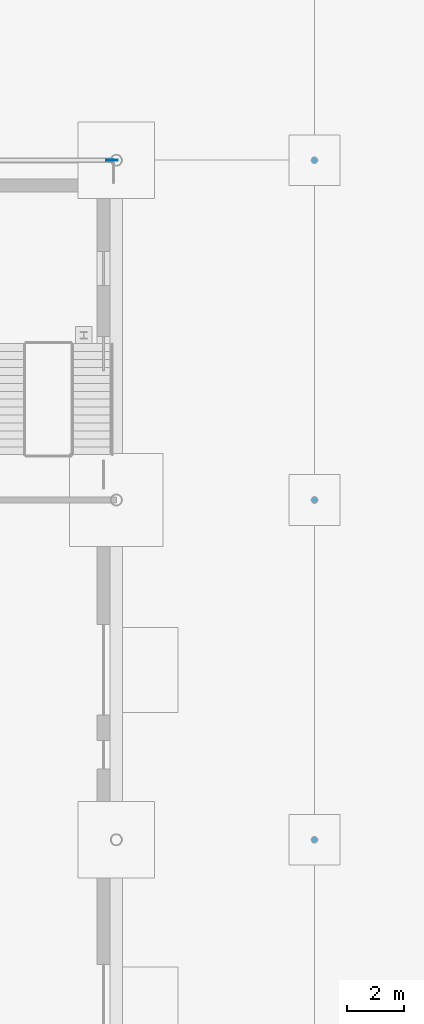
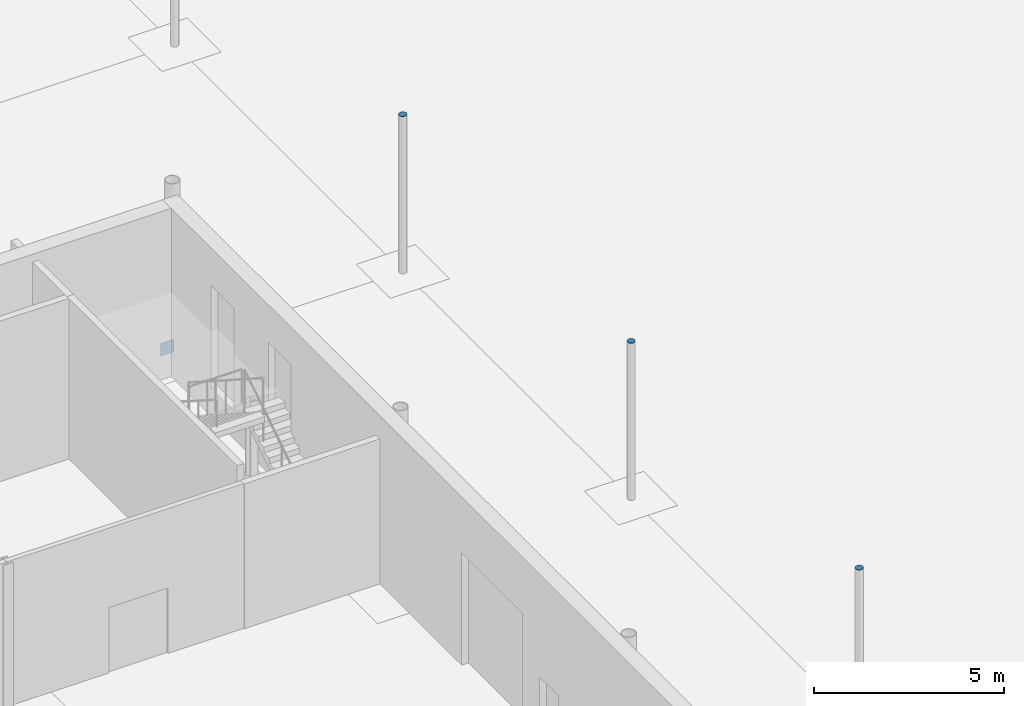
# One storey, part 105 of 132: 4 discrete accessories.
"""IFC4 building model written with IfcOpenShell, lengths in metres."""

from ifc_helpers import new_model, si_unit, direction, frame, origin, origin_2d, place, context, subcontext, project, spatial, rectangle, circle, extrude, material, material_profile, profile_set, type_object, element, save


model = new_model("IFC4")

# Units and contexts
model_context = context("Model", 3, precision=1e-05, world=origin(), true_north=direction((0.0, 1.0)))
body_context = subcontext(model_context, "Body", "Model", "MODEL_VIEW")
ifc_project = project(units=[si_unit("LENGTHUNIT", "METRE"), si_unit("AREAUNIT", "SQUARE_METRE"), si_unit("VOLUMEUNIT", "CUBIC_METRE"), si_unit("PLANEANGLEUNIT", "RADIAN"), si_unit("MASSUNIT", "GRAM", prefix="KILO")], contexts=[model_context])

# Site, building, storey
site_placement = place(None, origin())
site = spatial("IfcSite", under=ifc_project, at=site_placement, CompositionType="ELEMENT")
building_placement = place(site_placement, origin())
building = spatial("IfcBuilding", under=site, at=building_placement, Name="Ravi Spectrum Wholesale Market", CompositionType="ELEMENT")
storey_placement = place(building_placement, origin())
storey = spatial("IfcBuildingStorey", under=building, at=storey_placement, Name="L00", CompositionType="ELEMENT", Elevation=0.0)

# Discrete accessories
ifc_material_1 = material(Name="Steel S355", Category="steel")
ifc_material_profile_1 = material_profile(ifc_material_1, circle(Radius=0.109619140625, at=origin_2d()))
ifc_profile_set_1 = profile_set([ifc_material_profile_1], Name="Steel S355")
discrete_accessory_type_1 = type_object("IfcDiscreteAccessoryType", Name="End plate CHS 219.1x8", PredefinedType="BRACKET", material=ifc_profile_set_1)
for number, where, z_axis, x_axis, name in (
    (1, (205.0, 102.0, 5.0400390625), (0.0, 0.0, 1.0), (1.0, 0.0, 0.0), "End plate"),
    (2, (205.0, 114.0, 5.0400390625), (0.0, 0.0, 1.0), (1.0, 0.0, 0.0), "End plate"),
    (3, (205.0, 126.0, 5.0400390625), (0.0, 0.0, 1.0), (1.0, 0.0, 0.0), "End plate"),
):
    element("IfcDiscreteAccessory", number, at=place(storey_placement, frame(where, z_axis=z_axis, x_axis=x_axis)), inside=storey, type_object=discrete_accessory_type_1, Name=name, PredefinedType="BRACKET", context=body_context, shape_type="SweptSolid", body=[
        extrude(circle(Radius=0.109619140625, at=origin_2d()), origin(), (0.0, 0.0, 1.0), 0.011962890625),
    ])
ifc_material_2 = material(Name="Steel S355", Category="steel")
ifc_material_profile_2 = material_profile(ifc_material_2, rectangle(XDim=0.39990234375, YDim=0.02001953125, at=origin_2d()))
ifc_profile_set_2 = profile_set([ifc_material_profile_2], Name="Steel S355")
discrete_accessory_type_2 = type_object("IfcDiscreteAccessoryType", Name="Gusset plate 400x400x20", PredefinedType="BRACKET", material=ifc_profile_set_2)
discrete_accessory_placement = place(storey_placement, frame((197.85009765625, 126.0, -0.14208984375), z_axis=(0.0, 0.0, 1.0), x_axis=(-1.0, 0.0, 0.0)))
element("IfcDiscreteAccessory", 4, at=discrete_accessory_placement, inside=storey, type_object=discrete_accessory_type_2, Name="Gusset plate", PredefinedType="BRACKET", context=body_context, shape_type="SweptSolid", body=[
    extrude(rectangle(XDim=0.39990234375, YDim=0.02001953125, at=origin_2d()), origin(), (0.0, 0.0, 1.0), 0.400146484375),
])

save(model, "model.ifc")
